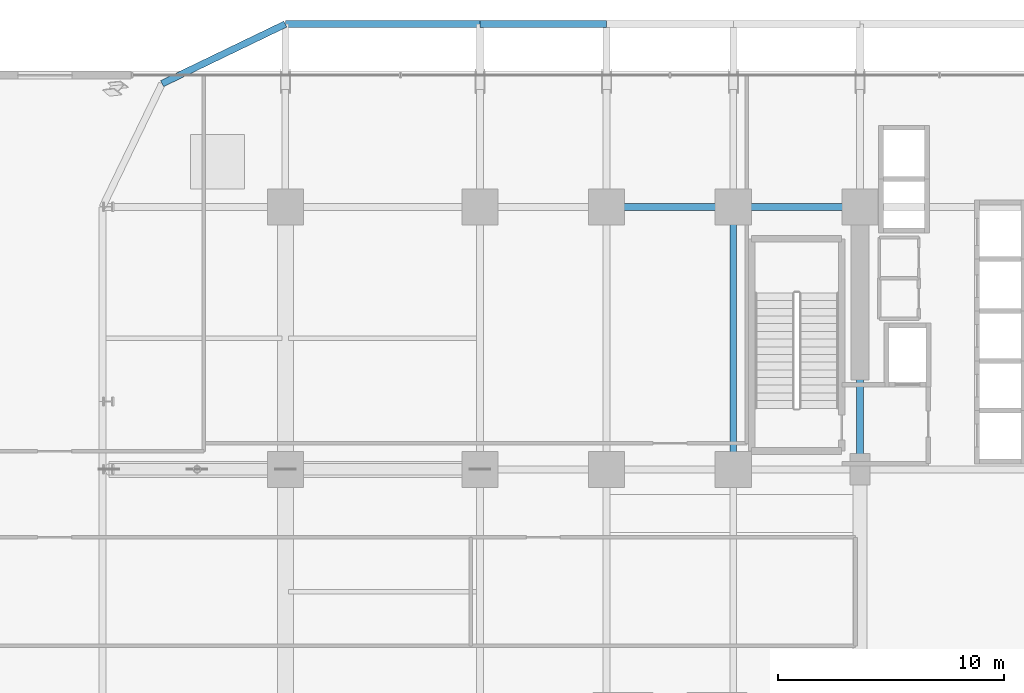
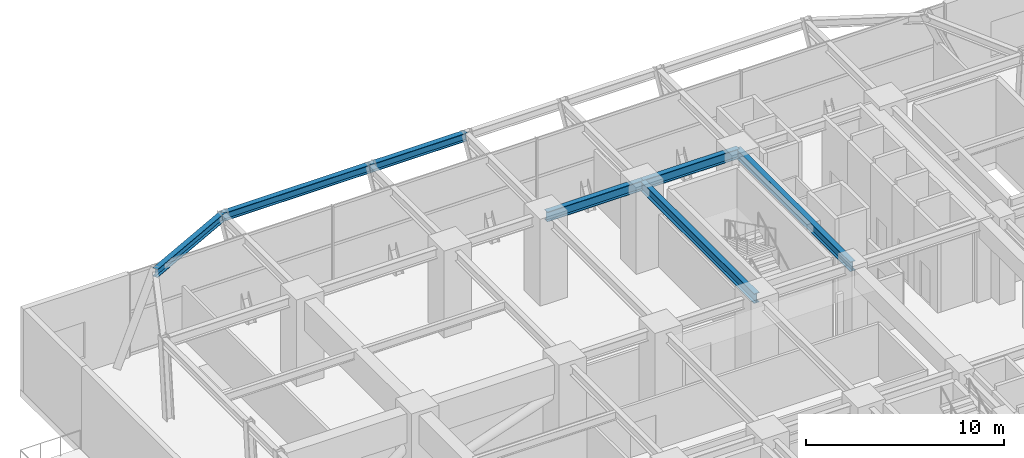
# One storey, part 15 of 29: 7 beams.
"""IFC4 building model written with IfcOpenShell, lengths in metres."""

from ifc_helpers import new_model, si_unit, direction, frame, origin, origin_2d, place, context, subcontext, project, spatial, i_section, extrude, source, transform, mapped, material, material_profile, profile_set, type_object, element, save


model = new_model("IFC4")

# Units and contexts
model_context = context("Model", 3, precision=1e-05, world=origin(), true_north=direction((0.0, 1.0)))
body_context = subcontext(model_context, "Body", "Model", "MODEL_VIEW")
ifc_project = project(units=[si_unit("LENGTHUNIT", "METRE"), si_unit("AREAUNIT", "SQUARE_METRE"), si_unit("VOLUMEUNIT", "CUBIC_METRE"), si_unit("PLANEANGLEUNIT", "RADIAN"), si_unit("MASSUNIT", "GRAM", prefix="KILO")], contexts=[model_context])

# Site, building, storey
site_placement = place(None, origin())
site = spatial("IfcSite", under=ifc_project, at=site_placement, CompositionType="ELEMENT")
building_placement = place(site_placement, origin())
building = spatial("IfcBuilding", under=site, at=building_placement, Name="Nahalor Promenade Grand Hotel", CompositionType="ELEMENT")
storey_placement = place(building_placement, frame((0.0, 0.0, 27.0)))
storey = spatial("IfcBuildingStorey", under=building, at=storey_placement, Name="L05", CompositionType="ELEMENT", Elevation=27.0)

# Beams
ifc_material = material(Name="Steel S355JR", Category="steel")
ifc_material_profile_1 = material_profile(ifc_material, i_section(OverallWidth=0.3, OverallDepth=0.6, WebThickness=0.0155, FlangeThickness=0.03, at=origin_2d()), Name="HEB 600")
ifc_profile_set_1 = profile_set([ifc_material_profile_1], Name="Steel S355JR")
beam_type_1 = type_object("IfcBeamType", Name="Beam-Girder-HEB600", PredefinedType="BEAM", material=ifc_profile_set_1)
shared_shape_1 = source(origin(), body_context, "Body", "SweptSolid", [
    extrude(i_section(OverallWidth=0.3, OverallDepth=0.6, WebThickness=0.0155, FlangeThickness=0.03, at=origin_2d()), origin(), (0.0, 0.0, 1.0), 5.599853515625),
])
beam_1_placement = place(storey_placement, frame((2.800048828125, 17.0, 4.820068359375), z_axis=(1.0, 0.0, 0.0), x_axis=(0.0, 1.0, 0.0)))
element("IfcBeam", 1, at=beam_1_placement, inside=storey, type_object=beam_type_1, Name="BM-L05-GX-3-4", PredefinedType="BEAM", context=body_context, shape_type="MappedRepresentation", body=[
    mapped(shared_shape_1, transform((0.0, 0.0, 0.0), scale=1.0)),
])
shared_shape_2 = source(origin(), body_context, "Body", "SweptSolid", [
    extrude(i_section(OverallWidth=0.3, OverallDepth=0.6, WebThickness=0.0155, FlangeThickness=0.03, at=origin_2d()), origin(), (0.0, 0.0, 1.0), 5.60009765625),
])
beam_2_placement = place(storey_placement, frame((-2.800048828125, 17.0, 4.820068359375), z_axis=(1.0, 0.0, 0.0), x_axis=(0.0, 1.0, 0.0)))
element("IfcBeam", 2, at=beam_2_placement, inside=storey, type_object=beam_type_1, Name="BM-L05-GX-3-3", PredefinedType="BEAM", context=body_context, shape_type="MappedRepresentation", body=[
    mapped(shared_shape_2, transform((0.0, 0.0, 0.0), scale=1.0)),
])
shared_shape_3 = source(origin(), body_context, "Body", "SweptSolid", [
    extrude(i_section(OverallWidth=0.3, OverallDepth=0.6, WebThickness=0.0155, FlangeThickness=0.03, at=origin_2d()), origin(), (0.0, 0.0, 1.0), 11.60009765625),
])
for number, where, z_axis, x_axis, name in (
    (3, (2.800048828125, 5.39990234375, 4.820068359375), (0.0, 1.0, 0.0), (-1.0, 0.0, 0.0), "BM-L05-GY-3-3"),
    (4, (8.39990234375, 5.39990234375, 4.820068359375), (0.0, 1.0, 0.0), (-1.0, 0.0, 0.0), "BM-L05-GY-4-3"),
):
    element("IfcBeam", number, at=place(storey_placement, frame(where, z_axis=z_axis, x_axis=x_axis)), inside=storey, type_object=beam_type_1, Name=name, PredefinedType="BEAM", context=body_context, shape_type="MappedRepresentation", body=[
        mapped(shared_shape_3, transform((0.0, 0.0, 0.0), scale=1.0)),
    ])
ifc_material_profile_2 = material_profile(ifc_material, i_section(OverallWidth=0.3, OverallDepth=0.5, WebThickness=0.0145, FlangeThickness=0.028, at=origin_2d()), Name="HEB 500")
ifc_profile_set_2 = profile_set([ifc_material_profile_2], Name="Steel S355JR")
beam_type_2 = type_object("IfcBeamType", Name="Beam-Spandrel-HEB500", PredefinedType="SPANDREL", material=ifc_profile_set_2)
shared_shape_4 = source(origin(), body_context, "Body", "SweptSolid", [
    extrude(i_section(OverallWidth=0.3, OverallDepth=0.5, WebThickness=0.0145, FlangeThickness=0.028, at=origin_2d()), origin(), (0.0, 0.0, 1.0), 8.60009765625),
])
beam_3_placement = place(storey_placement, frame((-17.0, 25.080078125, 4.8701171875), z_axis=(1.0, 0.0, 0.0), x_axis=(0.0, 1.0, 0.0)))
element("IfcBeam", 5, at=beam_3_placement, inside=storey, type_object=beam_type_2, Name="BM-L05-SP-N-0", PredefinedType="SPANDREL", context=body_context, shape_type="MappedRepresentation", body=[
    mapped(shared_shape_4, transform((0.0, 0.0, 0.0), scale=1.0)),
])
shared_shape_5 = source(origin(), body_context, "Body", "SweptSolid", [
    extrude(i_section(OverallWidth=0.3, OverallDepth=0.5, WebThickness=0.0145, FlangeThickness=0.028, at=origin_2d()), origin(), (0.0, 0.0, 1.0), 5.599853515625),
])
beam_4_placement = place(storey_placement, frame((-8.39990234375, 25.080078125, 4.8701171875), z_axis=(1.0, 0.0, 0.0), x_axis=(0.0, 1.0, 0.0)))
element("IfcBeam", 6, at=beam_4_placement, inside=storey, type_object=beam_type_2, Name="BM-L05-SP-N-1", PredefinedType="SPANDREL", context=body_context, shape_type="MappedRepresentation", body=[
    mapped(shared_shape_5, transform((0.0, 0.0, 0.0), scale=1.0)),
])
shared_shape_6 = source(origin(), body_context, "Body", "SweptSolid", [
    extrude(i_section(OverallWidth=0.3, OverallDepth=0.5, WebThickness=0.0145, FlangeThickness=0.028, at=origin_2d()), origin(), (0.0, 0.0, 1.0), 6.051513671875),
])
beam_5_placement = place(storey_placement, frame((-17.0, 25.080078125, 4.8701171875), z_axis=(-0.900608818852, -0.434630596492, 0.0), x_axis=(0.434630596492, -0.900608818852, 0.0)))
element("IfcBeam", 7, at=beam_5_placement, inside=storey, type_object=beam_type_2, Name="BM-L05-SPC-NW-1", PredefinedType="SPANDREL", context=body_context, shape_type="MappedRepresentation", body=[
    mapped(shared_shape_6, transform((0.0, 0.0, 0.0), scale=1.0)),
])

save(model, "model.ifc")
